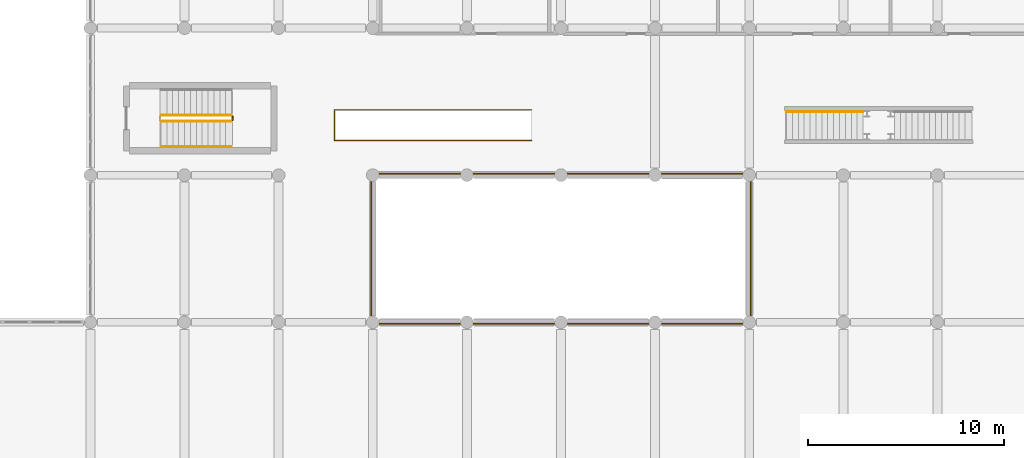
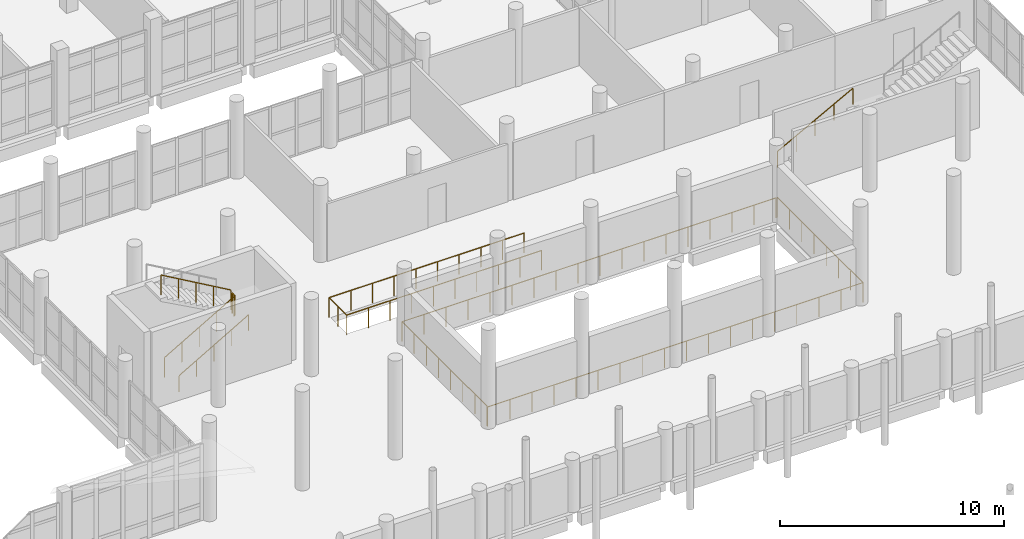
# One storey, part 158 of 164: 8 railings.
"""IFC4 building model written with IfcOpenShell, lengths in metres."""

from ifc_helpers import new_model, si_unit, direction, frame, origin, origin_2d, place, context, subcontext, project, spatial, circle, extrude, material, type_object, element, save


model = new_model("IFC4")

# Units and contexts
model_context = context("Model", 3, precision=1e-05, world=origin(), true_north=direction((0.0, 1.0)))
body_context = subcontext(model_context, "Body", "Model", "MODEL_VIEW")
ifc_project = project(units=[si_unit("LENGTHUNIT", "METRE"), si_unit("AREAUNIT", "SQUARE_METRE"), si_unit("VOLUMEUNIT", "CUBIC_METRE"), si_unit("PLANEANGLEUNIT", "RADIAN"), si_unit("MASSUNIT", "GRAM", prefix="KILO")], contexts=[model_context])

# Site, building, storey
site_placement = place(None, origin())
site = spatial("IfcSite", under=ifc_project, at=site_placement, CompositionType="ELEMENT")
building_placement = place(site_placement, origin())
building = spatial("IfcBuilding", under=site, at=building_placement, Name="Mawjan Specialist Oncology Clinic", CompositionType="ELEMENT")
storey_placement = place(building_placement, frame((0.0, 0.0, 5.0)))
storey = spatial("IfcBuildingStorey", under=building, at=storey_placement, Name="L01", CompositionType="ELEMENT", Elevation=5.0)

# Railings
ifc_material_1 = material(Name="Laminated glass and stainless-steel balustrade", Category="steel")
railing_type_1 = type_object("IfcRailingType", Name="BL-110", PredefinedType="BALUSTRADE", material=ifc_material_1)
railing_1_placement = place(storey_placement, frame((74.320068359375, 53.219970703125, 0.0)))
element("IfcRailing", 1, at=railing_1_placement, inside=storey, type_object=railing_type_1, Name="L01 Infusion Atrium Perimeter Balustrade South-East", PredefinedType="BALUSTRADE", context=body_context, shape_type="SweptSolid", body=[
    extrude(circle(Radius=0.02392578125, at=origin_2d()), frame((0.0, 0.0, 1.076171875), z_axis=(1.0, 0.0, 0.0), x_axis=(0.0, 1.0, 0.0)), (0.0, 0.0, 1.0), 19.35986328125),
    extrude(circle(Radius=0.02392578125, at=origin_2d()), frame((19.35986328125, 0.0, 1.076171875), z_axis=(0.0, 1.0, 0.0), x_axis=(-1.0, 0.0, 0.0)), (0.0, 0.0, 1.0), 7.659912109375),
    extrude(circle(Radius=0.02099609375, at=origin_2d()), origin(), (0.0, 0.0, 1.0), 1.052001953125),
    extrude(circle(Radius=0.02099609375, at=origin_2d()), frame((1.138916015625, 0.0, 0.0)), (0.0, 0.0, 1.0), 1.052001953125),
    extrude(circle(Radius=0.02099609375, at=origin_2d()), frame((2.277587890625, 0.0, 0.0)), (0.0, 0.0, 1.0), 1.052001953125),
    extrude(circle(Radius=0.02099609375, at=origin_2d()), frame((3.41650390625, 0.0, 0.0)), (0.0, 0.0, 1.0), 1.052001953125),
    extrude(circle(Radius=0.02099609375, at=origin_2d()), frame((4.55517578125, 0.0, 0.0)), (0.0, 0.0, 1.0), 1.052001953125),
    extrude(circle(Radius=0.02099609375, at=origin_2d()), frame((5.694091796875, 0.0, 0.0)), (0.0, 0.0, 1.0), 1.052001953125),
    extrude(circle(Radius=0.02099609375, at=origin_2d()), frame((6.8330078125, 0.0, 0.0)), (0.0, 0.0, 1.0), 1.052001953125),
    extrude(circle(Radius=0.02099609375, at=origin_2d()), frame((7.9716796875, 0.0, 0.0)), (0.0, 0.0, 1.0), 1.052001953125),
    extrude(circle(Radius=0.02099609375, at=origin_2d()), frame((9.110595703125, 0.0, 0.0)), (0.0, 0.0, 1.0), 1.052001953125),
    extrude(circle(Radius=0.02099609375, at=origin_2d()), frame((10.249267578125, 0.0, 0.0)), (0.0, 0.0, 1.0), 1.052001953125),
    extrude(circle(Radius=0.02099609375, at=origin_2d()), frame((11.38818359375, 0.0, 0.0)), (0.0, 0.0, 1.0), 1.052001953125),
    extrude(circle(Radius=0.02099609375, at=origin_2d()), frame((12.52685546875, 0.0, 0.0)), (0.0, 0.0, 1.0), 1.052001953125),
    extrude(circle(Radius=0.02099609375, at=origin_2d()), frame((13.665771484375, 0.0, 0.0)), (0.0, 0.0, 1.0), 1.052001953125),
    extrude(circle(Radius=0.02099609375, at=origin_2d()), frame((14.8046875, 0.0, 0.0)), (0.0, 0.0, 1.0), 1.052001953125),
    extrude(circle(Radius=0.02099609375, at=origin_2d()), frame((15.943359375, 0.0, 0.0)), (0.0, 0.0, 1.0), 1.052001953125),
    extrude(circle(Radius=0.02099609375, at=origin_2d()), frame((17.082275390625, 0.0, 0.0)), (0.0, 0.0, 1.0), 1.052001953125),
    extrude(circle(Radius=0.02099609375, at=origin_2d()), frame((18.220947265625, 0.0, 0.0)), (0.0, 0.0, 1.0), 1.052001953125),
    extrude(circle(Radius=0.02099609375, at=origin_2d()), frame((19.35986328125, 0.0, 0.0)), (0.0, 0.0, 1.0), 1.052001953125),
    extrude(circle(Radius=0.02099609375, at=origin_2d()), frame((19.35986328125, 1.09423828125, 0.0)), (0.0, 0.0, 1.0), 1.052001953125),
    extrude(circle(Radius=0.02099609375, at=origin_2d()), frame((19.35986328125, 2.1884765625, 0.0)), (0.0, 0.0, 1.0), 1.052001953125),
    extrude(circle(Radius=0.02099609375, at=origin_2d()), frame((19.35986328125, 3.28271484375, 0.0)), (0.0, 0.0, 1.0), 1.052001953125),
    extrude(circle(Radius=0.02099609375, at=origin_2d()), frame((19.35986328125, 4.377197265625, 0.0)), (0.0, 0.0, 1.0), 1.052001953125),
    extrude(circle(Radius=0.02099609375, at=origin_2d()), frame((19.35986328125, 5.471435546875, 0.0)), (0.0, 0.0, 1.0), 1.052001953125),
    extrude(circle(Radius=0.02099609375, at=origin_2d()), frame((19.35986328125, 6.565673828125, 0.0)), (0.0, 0.0, 1.0), 1.052001953125),
    extrude(circle(Radius=0.02099609375, at=origin_2d()), frame((19.35986328125, 7.659912109375, 0.0)), (0.0, 0.0, 1.0), 1.052001953125),
])
railing_2_placement = place(storey_placement, frame((93.6201171875, 60.8798828125, 0.0)))
element("IfcRailing", 2, at=railing_2_placement, inside=storey, type_object=railing_type_1, Name="L01 Infusion Atrium Perimeter Balustrade North-West", PredefinedType="BALUSTRADE", context=body_context, shape_type="SweptSolid", body=[
    extrude(circle(Radius=0.02392578125, at=origin_2d()), frame((0.0, 0.0, 1.076171875), z_axis=(-1.0, 0.0, 0.0), x_axis=(0.0, -1.0, 0.0)), (0.0, 0.0, 1.0), 19.300048828125),
    extrude(circle(Radius=0.02392578125, at=origin_2d()), frame((-19.300048828125, 0.0, 1.076171875), z_axis=(0.0, -1.0, 0.0), x_axis=(1.0, 0.0, 0.0)), (0.0, 0.0, 1.0), 7.599853515625),
    extrude(circle(Radius=0.02099609375, at=origin_2d()), origin(), (0.0, 0.0, 1.0), 1.052001953125),
    extrude(circle(Radius=0.02099609375, at=origin_2d()), frame((-1.13525390625, 0.0, 0.0)), (0.0, 0.0, 1.0), 1.052001953125),
    extrude(circle(Radius=0.02099609375, at=origin_2d()), frame((-2.2705078125, 0.0, 0.0)), (0.0, 0.0, 1.0), 1.052001953125),
    extrude(circle(Radius=0.02099609375, at=origin_2d()), frame((-3.406005859375, 0.0, 0.0)), (0.0, 0.0, 1.0), 1.052001953125),
    extrude(circle(Radius=0.02099609375, at=origin_2d()), frame((-4.541259765625, 0.0, 0.0)), (0.0, 0.0, 1.0), 1.052001953125),
    extrude(circle(Radius=0.02099609375, at=origin_2d()), frame((-5.676513671875, 0.0, 0.0)), (0.0, 0.0, 1.0), 1.052001953125),
    extrude(circle(Radius=0.02099609375, at=origin_2d()), frame((-6.811767578125, 0.0, 0.0)), (0.0, 0.0, 1.0), 1.052001953125),
    extrude(circle(Radius=0.02099609375, at=origin_2d()), frame((-7.947021484375, 0.0, 0.0)), (0.0, 0.0, 1.0), 1.052001953125),
    extrude(circle(Radius=0.02099609375, at=origin_2d()), frame((-9.082275390625, 0.0, 0.0)), (0.0, 0.0, 1.0), 1.052001953125),
    extrude(circle(Radius=0.02099609375, at=origin_2d()), frame((-10.2177734375, 0.0, 0.0)), (0.0, 0.0, 1.0), 1.052001953125),
    extrude(circle(Radius=0.02099609375, at=origin_2d()), frame((-11.35302734375, 0.0, 0.0)), (0.0, 0.0, 1.0), 1.052001953125),
    extrude(circle(Radius=0.02099609375, at=origin_2d()), frame((-12.48828125, 0.0, 0.0)), (0.0, 0.0, 1.0), 1.052001953125),
    extrude(circle(Radius=0.02099609375, at=origin_2d()), frame((-13.62353515625, 0.0, 0.0)), (0.0, 0.0, 1.0), 1.052001953125),
    extrude(circle(Radius=0.02099609375, at=origin_2d()), frame((-14.7587890625, 0.0, 0.0)), (0.0, 0.0, 1.0), 1.052001953125),
    extrude(circle(Radius=0.02099609375, at=origin_2d()), frame((-15.89404296875, 0.0, 0.0)), (0.0, 0.0, 1.0), 1.052001953125),
    extrude(circle(Radius=0.02099609375, at=origin_2d()), frame((-17.029541015625, 0.0, 0.0)), (0.0, 0.0, 1.0), 1.052001953125),
    extrude(circle(Radius=0.02099609375, at=origin_2d()), frame((-18.164794921875, 0.0, 0.0)), (0.0, 0.0, 1.0), 1.052001953125),
    extrude(circle(Radius=0.02099609375, at=origin_2d()), frame((-19.300048828125, 0.0, 0.0)), (0.0, 0.0, 1.0), 1.052001953125),
    extrude(circle(Radius=0.02099609375, at=origin_2d()), frame((-19.300048828125, -1.085693359375, 0.0)), (0.0, 0.0, 1.0), 1.052001953125),
    extrude(circle(Radius=0.02099609375, at=origin_2d()), frame((-19.300048828125, -2.17138671875, 0.0)), (0.0, 0.0, 1.0), 1.052001953125),
    extrude(circle(Radius=0.02099609375, at=origin_2d()), frame((-19.300048828125, -3.257080078125, 0.0)), (0.0, 0.0, 1.0), 1.052001953125),
    extrude(circle(Radius=0.02099609375, at=origin_2d()), frame((-19.300048828125, -4.3427734375, 0.0)), (0.0, 0.0, 1.0), 1.052001953125),
    extrude(circle(Radius=0.02099609375, at=origin_2d()), frame((-19.300048828125, -5.428466796875, 0.0)), (0.0, 0.0, 1.0), 1.052001953125),
    extrude(circle(Radius=0.02099609375, at=origin_2d()), frame((-19.300048828125, -6.51416015625, 0.0)), (0.0, 0.0, 1.0), 1.052001953125),
    extrude(circle(Radius=0.02099609375, at=origin_2d()), frame((-19.300048828125, -7.599853515625, 0.0)), (0.0, 0.0, 1.0), 1.052001953125),
])
ifc_material_2 = material(Name="Powder-coated steel stair guard with vertical infill pickets", Category="steel")
railing_type_2 = type_object("IfcRailingType", Name="GR-110", PredefinedType="GUARDRAIL", material=ifc_material_2)
railing_3_placement = place(storey_placement, frame((63.60009765625, 63.550048828125, 0.173095703125)))
element("IfcRailing", 3, at=railing_3_placement, inside=storey, type_object=railing_type_2, Name="L01 ST-07 stair guard 1", PredefinedType="GUARDRAIL", context=body_context, shape_type="SweptSolid", body=[
    extrude(circle(Radius=0.02392578125, at=origin_2d()), frame((0.0, 0.0, 1.076171875), z_axis=(0.866178740119, 0.0, 0.499734319579), x_axis=(0.0, 1.0, 0.0)), (0.0, 0.0, 1.0), 4.156005859375),
    extrude(circle(Radius=0.02099609375, at=origin_2d()), origin(), (0.0, 0.0, 1.0), 1.052001953125),
    extrude(circle(Radius=0.02099609375, at=origin_2d()), frame((0.89990234375, 0.0, 0.519287109375)), (0.0, 0.0, 1.0), 1.052001953125),
    extrude(circle(Radius=0.02099609375, at=origin_2d()), frame((1.7998046875, 0.0, 1.03857421875)), (0.0, 0.0, 1.0), 1.052001953125),
    extrude(circle(Radius=0.02099609375, at=origin_2d()), frame((2.699951171875, 0.0, 1.5576171875)), (0.0, 0.0, 1.0), 1.052001953125),
    extrude(circle(Radius=0.02099609375, at=origin_2d()), frame((3.599853515625, 0.0, 2.076904296875)), (0.0, 0.0, 1.0), 1.052001953125),
])
railing_4_placement = place(storey_placement, frame((67.25, 63.60009765625, 2.25)))
element("IfcRailing", 4, at=railing_4_placement, inside=storey, type_object=railing_type_2, Name="L01 ST-07 stair guard 2", PredefinedType="GUARDRAIL", context=body_context, shape_type="SweptSolid", body=[
    extrude(circle(Radius=0.02392578125, at=origin_2d()), frame((0.0, 0.0, 1.076171875), z_axis=(0.0, 1.0, 0.0), x_axis=(-1.0, 0.0, 0.0)), (0.0, 0.0, 1.0), 0.199951171875),
    extrude(circle(Radius=0.02099609375, at=origin_2d()), origin(), (0.0, 0.0, 1.0), 1.052001953125),
    extrude(circle(Radius=0.02099609375, at=origin_2d()), frame((0.0, 0.199951171875, 0.0)), (0.0, 0.0, 1.0), 1.052001953125),
])
railing_5_placement = place(storey_placement, frame((67.199951171875, 63.85009765625, 2.423095703125)))
element("IfcRailing", 5, at=railing_5_placement, inside=storey, type_object=railing_type_2, Name="L01 ST-07 stair guard 3", PredefinedType="GUARDRAIL", context=body_context, shape_type="SweptSolid", body=[
    extrude(circle(Radius=0.02392578125, at=origin_2d()), frame((0.0, 0.0, 1.076171875), z_axis=(-0.866178740119, 0.0, 0.499734319579), x_axis=(0.0, -1.0, 0.0)), (0.0, 0.0, 1.0), 4.156005859375),
    extrude(circle(Radius=0.02099609375, at=origin_2d()), origin(), (0.0, 0.0, 1.0), 1.052001953125),
    extrude(circle(Radius=0.02099609375, at=origin_2d()), frame((-0.89990234375, 0.0, 0.519287109375)), (0.0, 0.0, 1.0), 1.052001953125),
    extrude(circle(Radius=0.02099609375, at=origin_2d()), frame((-1.7998046875, 0.0, 1.03857421875)), (0.0, 0.0, 1.0), 1.052001953125),
    extrude(circle(Radius=0.02099609375, at=origin_2d()), frame((-2.699951171875, 0.0, 1.5576171875)), (0.0, 0.0, 1.0), 1.052001953125),
    extrude(circle(Radius=0.02099609375, at=origin_2d()), frame((-3.599853515625, 0.0, 2.076904296875)), (0.0, 0.0, 1.0), 1.052001953125),
])
railing_6_placement = place(storey_placement, frame((82.5, 64.135009765625, 0.0)))
element("IfcRailing", 6, at=railing_6_placement, inside=storey, type_object=railing_type_2, Name="ST-09 Well Perimeter Guard 1", PredefinedType="GUARDRAIL", context=body_context, shape_type="SweptSolid", body=[
    extrude(circle(Radius=0.02392578125, at=origin_2d()), frame((0.0, 0.0, 1.076171875), z_axis=(-1.0, 0.0, 0.0), x_axis=(0.0, -1.0, 0.0)), (0.0, 0.0, 1.0), 10.06005859375),
    extrude(circle(Radius=0.02392578125, at=origin_2d()), frame((-10.06005859375, 0.0, 1.076171875), z_axis=(0.0, -1.0, 0.0), x_axis=(1.0, 0.0, 0.0)), (0.0, 0.0, 1.0), 1.570068359375),
    extrude(circle(Radius=0.02392578125, at=origin_2d()), frame((-10.06005859375, -1.570068359375, 1.076171875), z_axis=(1.0, 0.0, 0.0), x_axis=(0.0, 1.0, 0.0)), (0.0, 0.0, 1.0), 10.06005859375),
    extrude(circle(Radius=0.02099609375, at=origin_2d()), origin(), (0.0, 0.0, 1.0), 1.052001953125),
    extrude(circle(Radius=0.02099609375, at=origin_2d()), frame((-1.11767578125, 0.0, 0.0)), (0.0, 0.0, 1.0), 1.052001953125),
    extrude(circle(Radius=0.02099609375, at=origin_2d()), frame((-2.235595703125, 0.0, 0.0)), (0.0, 0.0, 1.0), 1.052001953125),
    extrude(circle(Radius=0.02099609375, at=origin_2d()), frame((-3.353271484375, 0.0, 0.0)), (0.0, 0.0, 1.0), 1.052001953125),
    extrude(circle(Radius=0.02099609375, at=origin_2d()), frame((-4.47119140625, 0.0, 0.0)), (0.0, 0.0, 1.0), 1.052001953125),
    extrude(circle(Radius=0.02099609375, at=origin_2d()), frame((-5.5888671875, 0.0, 0.0)), (0.0, 0.0, 1.0), 1.052001953125),
    extrude(circle(Radius=0.02099609375, at=origin_2d()), frame((-6.706787109375, 0.0, 0.0)), (0.0, 0.0, 1.0), 1.052001953125),
    extrude(circle(Radius=0.02099609375, at=origin_2d()), frame((-7.824462890625, 0.0, 0.0)), (0.0, 0.0, 1.0), 1.052001953125),
    extrude(circle(Radius=0.02099609375, at=origin_2d()), frame((-8.9423828125, 0.0, 0.0)), (0.0, 0.0, 1.0), 1.052001953125),
    extrude(circle(Radius=0.02099609375, at=origin_2d()), frame((-10.06005859375, 0.0, 0.0)), (0.0, 0.0, 1.0), 1.052001953125),
    extrude(circle(Radius=0.02099609375, at=origin_2d()), frame((-10.06005859375, -0.78515625, 0.0)), (0.0, 0.0, 1.0), 1.052001953125),
    extrude(circle(Radius=0.02099609375, at=origin_2d()), frame((-10.06005859375, -1.570068359375, 0.0)), (0.0, 0.0, 1.0), 1.052001953125),
    extrude(circle(Radius=0.02099609375, at=origin_2d()), frame((-8.9423828125, -1.570068359375, 0.0)), (0.0, 0.0, 1.0), 1.052001953125),
    extrude(circle(Radius=0.02099609375, at=origin_2d()), frame((-7.824462890625, -1.570068359375, 0.0)), (0.0, 0.0, 1.0), 1.052001953125),
    extrude(circle(Radius=0.02099609375, at=origin_2d()), frame((-6.706787109375, -1.570068359375, 0.0)), (0.0, 0.0, 1.0), 1.052001953125),
    extrude(circle(Radius=0.02099609375, at=origin_2d()), frame((-5.5888671875, -1.570068359375, 0.0)), (0.0, 0.0, 1.0), 1.052001953125),
    extrude(circle(Radius=0.02099609375, at=origin_2d()), frame((-4.47119140625, -1.570068359375, 0.0)), (0.0, 0.0, 1.0), 1.052001953125),
    extrude(circle(Radius=0.02099609375, at=origin_2d()), frame((-3.353271484375, -1.570068359375, 0.0)), (0.0, 0.0, 1.0), 1.052001953125),
    extrude(circle(Radius=0.02099609375, at=origin_2d()), frame((-2.235595703125, -1.570068359375, 0.0)), (0.0, 0.0, 1.0), 1.052001953125),
    extrude(circle(Radius=0.02099609375, at=origin_2d()), frame((-1.11767578125, -1.570068359375, 0.0)), (0.0, 0.0, 1.0), 1.052001953125),
    extrude(circle(Radius=0.02099609375, at=origin_2d()), frame((0.0, -1.570068359375, 0.0)), (0.0, 0.0, 1.0), 1.052001953125),
])
ifc_material_3 = material(Name="Brushed stainless-steel tubular handrail", Category="steel")
railing_type_3 = type_object("IfcRailingType", Name="HR-090", PredefinedType="HANDRAIL", material=ifc_material_3)
railing_7_placement = place(storey_placement, frame((63.60009765625, 62.25, 0.173095703125)))
element("IfcRailing", 7, at=railing_7_placement, inside=storey, type_object=railing_type_3, Name="L01 ST-07 stair handrail 1", PredefinedType="HANDRAIL", context=body_context, shape_type="SweptSolid", body=[
    extrude(circle(Radius=0.02392578125, at=origin_2d()), frame((0.0, 0.0, 0.8759765625), z_axis=(0.866178740119, 0.0, 0.499734319579), x_axis=(0.0, 1.0, 0.0)), (0.0, 0.0, 1.0), 4.156005859375),
    extrude(circle(Radius=0.02099609375, at=origin_2d()), origin(), (0.0, 0.0, 1.0), 0.851806640625),
    extrude(circle(Radius=0.02099609375, at=origin_2d()), frame((0.89990234375, 0.0, 0.519287109375)), (0.0, 0.0, 1.0), 0.851806640625),
    extrude(circle(Radius=0.02099609375, at=origin_2d()), frame((1.7998046875, 0.0, 1.03857421875)), (0.0, 0.0, 1.0), 0.851806640625),
    extrude(circle(Radius=0.02099609375, at=origin_2d()), frame((2.699951171875, 0.0, 1.5576171875)), (0.0, 0.0, 1.0), 0.851806640625),
    extrude(circle(Radius=0.02099609375, at=origin_2d()), frame((3.599853515625, 0.0, 2.076904296875)), (0.0, 0.0, 1.0), 0.851806640625),
])
railing_8_placement = place(storey_placement, frame((95.5, 64.02490234375, 0.16064453125)))
element("IfcRailing", 8, at=railing_8_placement, inside=storey, type_object=railing_type_3, Name="ST-13 Communicating Stair Handrail 1", PredefinedType="HANDRAIL", context=body_context, shape_type="SweptSolid", body=[
    extrude(circle(Radius=0.02392578125, at=origin_2d()), frame((0.0, 0.0, 0.8759765625), z_axis=(0.881468485026, 0.0, 0.472242850561), x_axis=(0.0, 1.0, 0.0)), (0.0, 0.0, 1.0), 4.42431640625),
    extrude(circle(Radius=0.02099609375, at=origin_2d()), origin(), (0.0, 0.0, 1.0), 0.851806640625),
    extrude(circle(Radius=0.02099609375, at=origin_2d()), frame((0.97509765625, 0.0, 0.5224609375)), (0.0, 0.0, 1.0), 0.851806640625),
    extrude(circle(Radius=0.02099609375, at=origin_2d()), frame((1.949951171875, 0.0, 1.044677734375)), (0.0, 0.0, 1.0), 0.851806640625),
    extrude(circle(Radius=0.02099609375, at=origin_2d()), frame((2.9248046875, 0.0, 1.56689453125)), (0.0, 0.0, 1.0), 0.851806640625),
    extrude(circle(Radius=0.02099609375, at=origin_2d()), frame((3.89990234375, 0.0, 2.08935546875)), (0.0, 0.0, 1.0), 0.851806640625),
])

save(model, "model.ifc")
